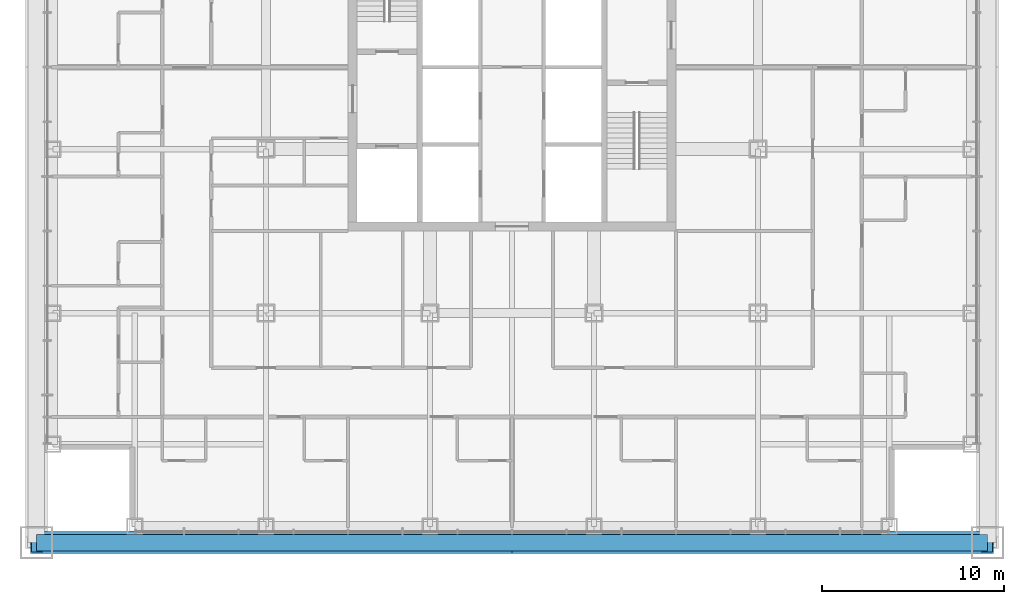
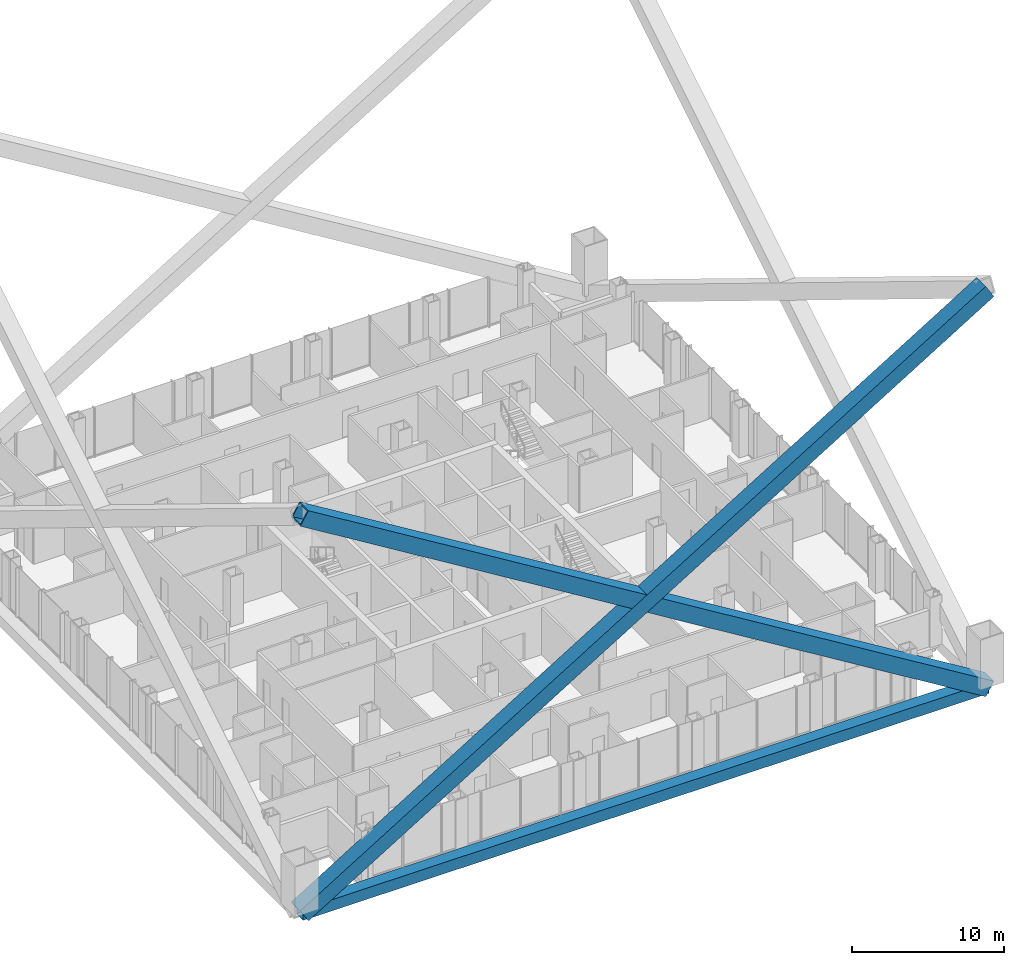
# One storey, part 3 of 21: 3 members.
"""IFC4 building model written with IfcOpenShell, lengths in metres."""

from ifc_helpers import new_model, si_unit, direction, frame, origin, origin_2d, place, context, subcontext, project, spatial, hollow_rectangle, extrude, material, material_profile, profile_set, type_object, element, save


model = new_model("IFC4")

# Units and contexts
model_context = context("Model", 3, precision=1e-05, world=origin(), true_north=direction((0.0, 1.0)))
body_context = subcontext(model_context, "Body", "Model", "MODEL_VIEW")
ifc_project = project(units=[si_unit("LENGTHUNIT", "METRE"), si_unit("AREAUNIT", "SQUARE_METRE"), si_unit("VOLUMEUNIT", "CUBIC_METRE"), si_unit("PLANEANGLEUNIT", "RADIAN"), si_unit("MASSUNIT", "GRAM", prefix="KILO")], contexts=[model_context])

# Site, building, storey
site_placement = place(None, origin())
site = spatial("IfcSite", under=ifc_project, at=site_placement, CompositionType="ELEMENT")
building_placement = place(site_placement, origin())
building = spatial("IfcBuilding", under=site, at=building_placement, Name="Malebo Sky Hospital", CompositionType="ELEMENT")
storey_placement = place(building_placement, frame((0.0, 0.0, 63.0)))
storey = spatial("IfcBuildingStorey", under=building, at=storey_placement, Name="L14", CompositionType="ELEMENT", Elevation=63.0)

# Members
ifc_material = material(Name="Steel S460", Category="steel")
ifc_material_profile_1 = material_profile(ifc_material, hollow_rectangle(XDim=1.199951171875, YDim=1.199951171875, WallThickness=0.10009765625, at=origin_2d()), Name="BOX 1200x1200x100")
ifc_profile_set_1 = profile_set([ifc_material_profile_1], Name="Steel S460")
member_type_1 = type_object("IfcMemberType", Name="MEGA BRACE BOX 1200x1200x100", PredefinedType="BRACE", material=ifc_profile_set_1)
for number, where, z_axis, x_axis, name in (
    (1, (33.89990234375, 35.89990234375, -0.39990234375), (0.85255517375, 0.0, 0.522637231464), (0.0, 1.0, 0.0), "Mega brace A2S1 L14-L22"),
    (2, (86.10009765625, 35.89990234375, -0.39990234375), (-0.85255517375, 0.0, 0.522637231464), (0.0, -1.0, 0.0), "Mega brace A2S2 L14-L22"),
):
    element("IfcMember", number, at=place(storey_placement, frame(where, z_axis=z_axis, x_axis=x_axis)), inside=storey, type_object=member_type_1, Name=name, PredefinedType="BRACE", context=body_context, shape_type="SweptSolid", body=[
        extrude(hollow_rectangle(XDim=1.199951171875, YDim=1.199951171875, WallThickness=0.10009765625, at=origin_2d()), origin(), (0.0, 0.0, 1.0), 61.22802734375),
    ])
ifc_material_profile_2 = material_profile(ifc_material, hollow_rectangle(XDim=0.89990234375, YDim=0.89990234375, WallThickness=0.050048828125, at=origin_2d()), Name="BOX 900x900x50")
ifc_profile_set_2 = profile_set([ifc_material_profile_2], Name="Steel S460")
member_type_2 = type_object("IfcMemberType", Name="MEGA TIE BOX 900x900x50", PredefinedType="CHORD", material=ifc_profile_set_2)
member_placement = place(storey_placement, frame((33.89990234375, 35.89990234375, -0.39990234375), z_axis=(1.0, 0.0, 0.0), x_axis=(0.0, 1.0, 0.0)))
element("IfcMember", 3, at=member_placement, inside=storey, type_object=member_type_2, Name="Mega tie AS L14", PredefinedType="CHORD", context=body_context, shape_type="SweptSolid", body=[
    extrude(hollow_rectangle(XDim=0.89990234375, YDim=0.89990234375, WallThickness=0.050048828125, at=origin_2d()), origin(), (0.0, 0.0, 1.0), 52.2001953125),
])

save(model, "model.ifc")
